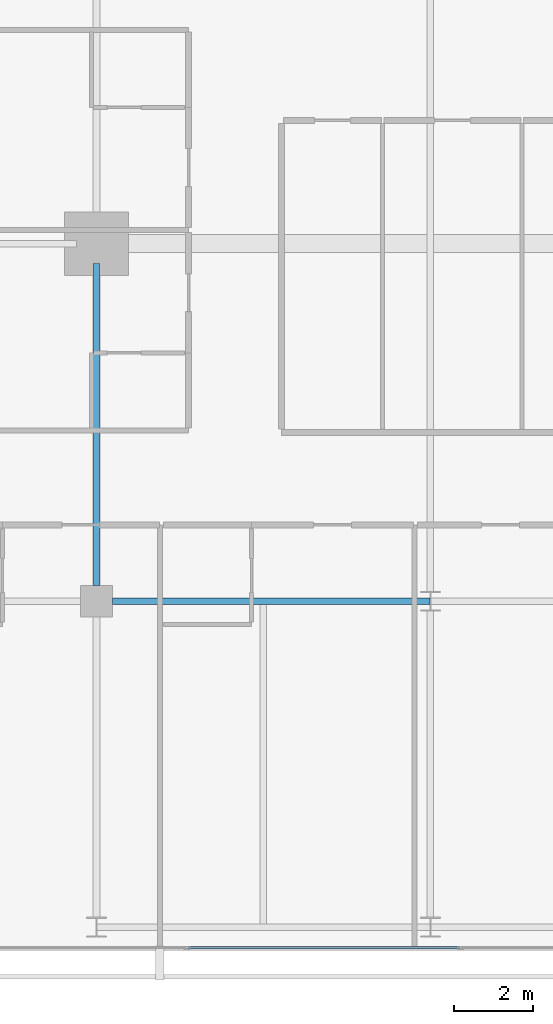
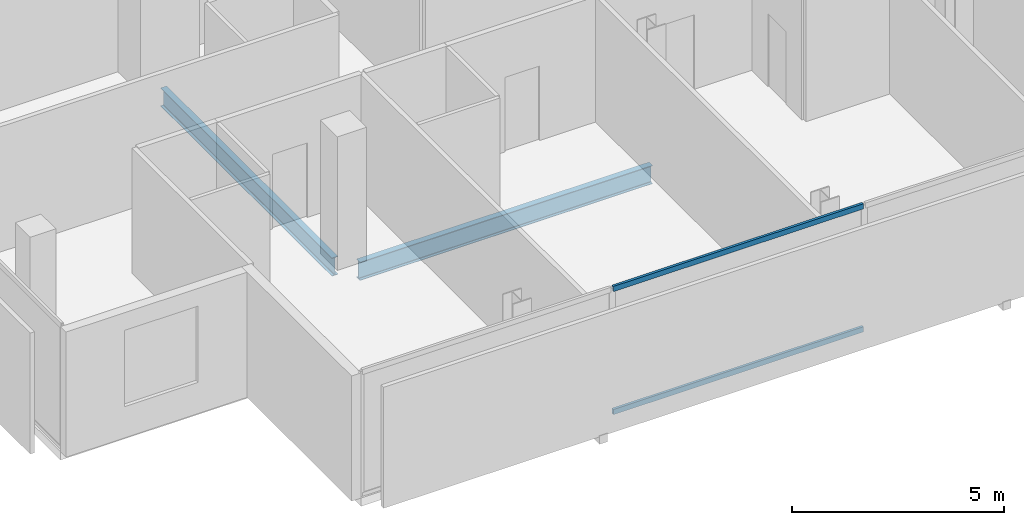
# One storey, part 5 of 26: 2 beams, 2 members, 1 element without a shape of its own.
"""IFC4 building model written with IfcOpenShell, lengths in metres."""

from ifc_helpers import new_model, si_unit, direction, frame, origin, origin_2d, place, context, subcontext, project, spatial, hollow_rectangle, i_section, extrude, material, layer, layer_set, material_profile, profile_set, type_object, element, aggregate, save


model = new_model("IFC4")

# Units and contexts
model_context = context("Model", 3, precision=1e-05, world=origin(), true_north=direction((0.0, 1.0)))
body_context = subcontext(model_context, "Body", "Model", "MODEL_VIEW")
ifc_project = project(units=[si_unit("LENGTHUNIT", "METRE"), si_unit("AREAUNIT", "SQUARE_METRE"), si_unit("VOLUMEUNIT", "CUBIC_METRE"), si_unit("PLANEANGLEUNIT", "RADIAN"), si_unit("MASSUNIT", "GRAM", prefix="KILO")], contexts=[model_context])

# Site, building, storey
site_placement = place(None, origin())
site = spatial("IfcSite", under=ifc_project, at=site_placement, CompositionType="ELEMENT")
building_placement = place(site_placement, origin())
building = spatial("IfcBuilding", under=site, at=building_placement, Name="Maruvema Waterfront Hotel and Observation Tower", CompositionType="ELEMENT")
storey_placement = place(building_placement, frame((0.0, 0.0, 285.60009765625)))
storey = spatial("IfcBuildingStorey", under=building, at=storey_placement, Name="L70", CompositionType="ELEMENT", Elevation=285.60009765625)

# Curtain wall, members
ifc_material_1 = material(Name="Anodised bronze aluminium and solar-control low-E IGU", Category="aluminium")
ifc_layer = layer(ifc_material_1, 0.159912109375, Name="Zone 3 Champagne Inner Thermal Curtain Wall System CW-04")
ifc_layer_set = layer_set([ifc_layer], Name="Anodised bronze aluminium and solar-control low-E IGU")
curtain_wall_type = type_object("IfcCurtainWallType", Name="Zone 3 Champagne Inner Thermal Curtain Wall System CW-04", PredefinedType="USERDEFINED", material=ifc_layer_set)
curtain_wall_placement = place(storey_placement, origin())
curtain_wall = element("IfcCurtainWall", 1, at=curtain_wall_placement, inside=storey, type_object=curtain_wall_type, Name="L70 Curtain Wall CW-L70-S", ObjectType="UNITISED CURTAIN WALL", PredefinedType="USERDEFINED")
ifc_material_2 = material(Name="Anodised architectural bronze aluminium", Category="aluminium")
ifc_material_profile_1 = material_profile(ifc_material_2, hollow_rectangle(XDim=0.070068359375, YDim=0.14990234375, WallThickness=0.00390625, at=origin_2d()), Name="ALU-T70x150")
ifc_profile_set_1 = profile_set([ifc_material_profile_1], Name="Anodised architectural bronze aluminium")
member_type = type_object("IfcMemberType", Name="Curtain Wall Horizontal Transom ALU-T70x150", PredefinedType="USERDEFINED", material=ifc_profile_set_1)
member_1_placement = place(storey_placement, frame((27.510009765625, 9.280029296875, 0.02978515625), z_axis=(1.0, 0.0, 0.0), x_axis=(0.0, 1.0, 0.0)))
member_1 = element("IfcMember", 2, at=member_1_placement, type_object=member_type, Name="CW-04 transom 2.1", ObjectType="TRANSOM", PredefinedType="USERDEFINED", context=body_context, shape_type="SweptSolid", body=[
    extrude(hollow_rectangle(XDim=0.070068359375, YDim=0.14990234375, WallThickness=0.00390625, at=origin_2d()), origin(), (0.0, 0.0, 1.0), 6.820068359375),
])
member_2_placement = place(storey_placement, frame((27.510009765625, 9.280029296875, 3.579833984375), z_axis=(1.0, 0.0, 0.0), x_axis=(0.0, 1.0, 0.0)))
member_2 = element("IfcMember", 3, at=member_2_placement, type_object=member_type, Name="CW-04 transom 2.2", ObjectType="TRANSOM", PredefinedType="USERDEFINED", context=body_context, shape_type="SweptSolid", body=[
    extrude(hollow_rectangle(XDim=0.070068359375, YDim=0.14990234375, WallThickness=0.00390625, at=origin_2d()), origin(), (0.0, 0.0, 1.0), 6.820068359375),
])
aggregate(curtain_wall, [member_1, member_2])

# Beams
ifc_material_3 = material(Name="Steel ASTM A572 Grade 50", Category="steel")
ifc_material_profile_2 = material_profile(ifc_material_3, i_section(OverallWidth=0.166015625, OverallDepth=0.529052734375, WebThickness=0.009765625, FlangeThickness=0.013671875, FilletRadius=0.014892578125, at=origin_2d()), Name="W530x74.0")
ifc_profile_set_2 = profile_set([ifc_material_profile_2], Name="Steel ASTM A572 Grade 50")
beam_type = type_object("IfcBeamType", Name="Primary Floor Girder W530x74.0", PredefinedType="BEAM", material=ifc_profile_set_2)
beam_1_placement = place(storey_placement, frame((25.60009765625, 18.0, -0.504638671875), z_axis=(1.0, 0.0, 0.0), x_axis=(0.0, 1.0, 0.0)))
element("IfcBeam", 4, at=beam_1_placement, inside=storey, type_object=beam_type, Name="L70 Floor Girder EW-05", PredefinedType="BEAM", context=body_context, shape_type="SweptSolid", body=[
    extrude(i_section(OverallWidth=0.166015625, OverallDepth=0.529052734375, WebThickness=0.009765625, FlangeThickness=0.013671875, FilletRadius=0.014892578125, at=origin_2d()), origin(), (0.0, 0.0, 1.0), 7.989013671875),
])
beam_2_placement = place(storey_placement, frame((25.199951171875, 18.39990234375, -0.504638671875), z_axis=(0.0, 1.0, 0.0), x_axis=(-1.0, 0.0, 0.0)))
element("IfcBeam", 5, at=beam_2_placement, inside=storey, type_object=beam_type, Name="L70 Floor Girder NS-05", PredefinedType="BEAM", context=body_context, shape_type="SweptSolid", body=[
    extrude(i_section(OverallWidth=0.166015625, OverallDepth=0.529052734375, WebThickness=0.009765625, FlangeThickness=0.013671875, FilletRadius=0.014892578125, at=origin_2d()), origin(), (0.0, 0.0, 1.0), 8.10009765625),
])

save(model, "model.ifc")
